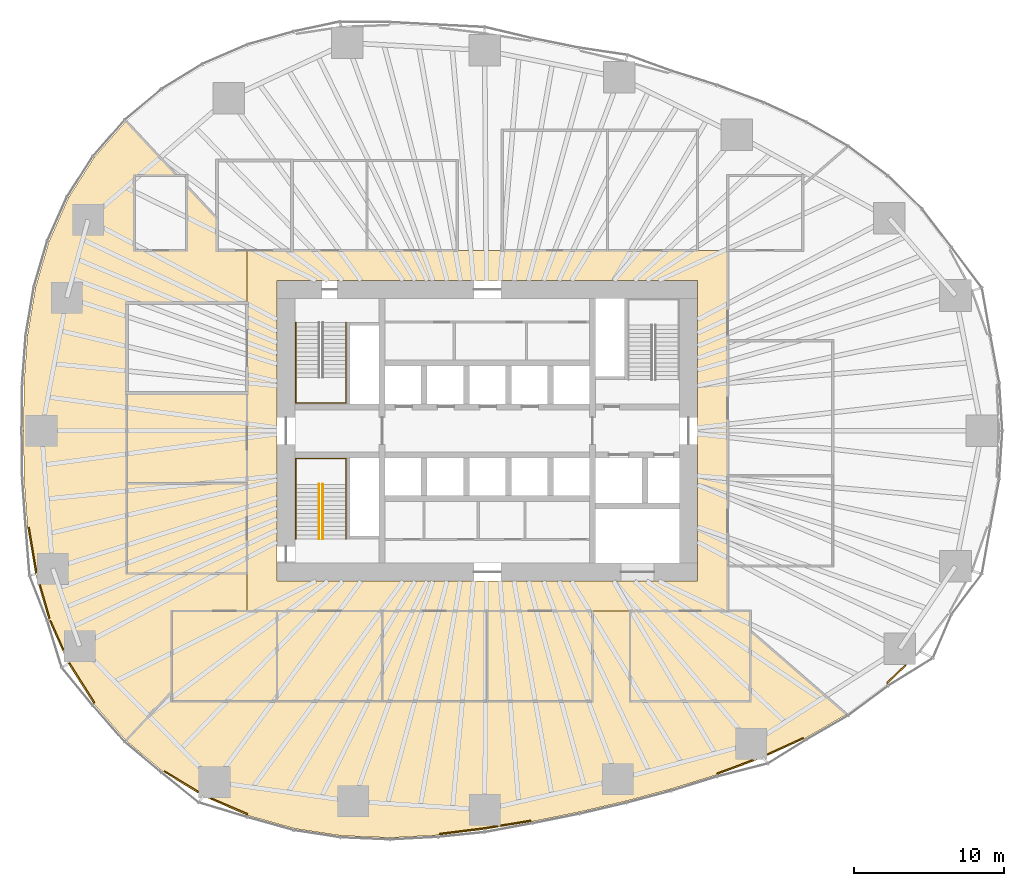
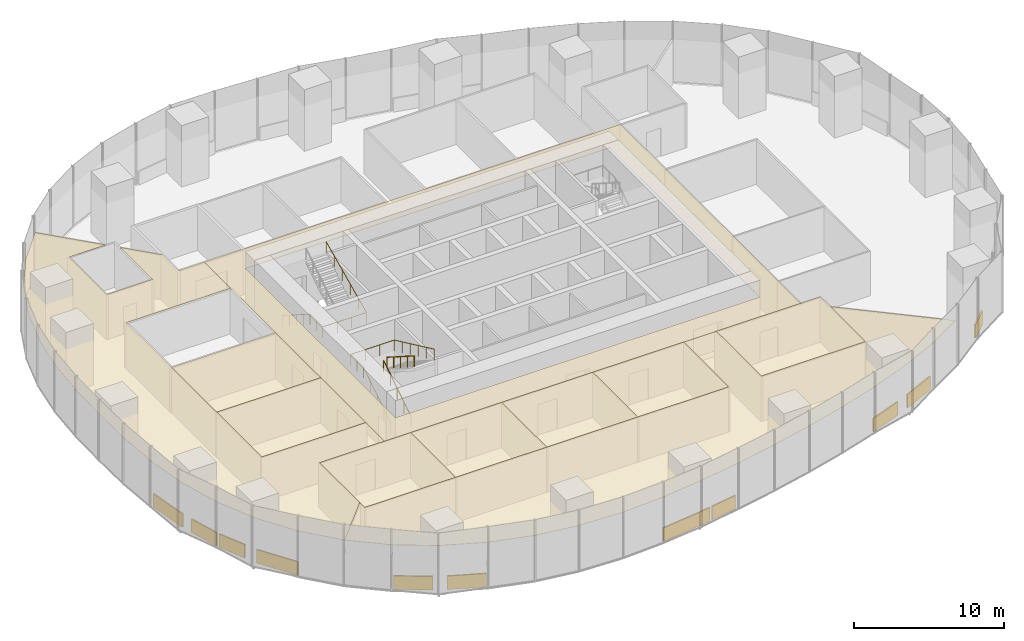
# One storey, part 17 of 20: 22 coverings, 4 railings.
"""IFC4 building model written with IfcOpenShell, lengths in metres."""

from ifc_helpers import new_model, si_unit, direction, frame, origin, origin_2d, place, context, subcontext, project, spatial, polyline, rectangle, circle, outline, extrude, material, layer, layer_set, type_object, element, save


model = new_model("IFC4")

# Units and contexts
model_context = context("Model", 3, precision=1e-05, world=origin(), true_north=direction((0.0, 1.0)))
body_context = subcontext(model_context, "Body", "Model", "MODEL_VIEW")
ifc_project = project(units=[si_unit("LENGTHUNIT", "METRE"), si_unit("AREAUNIT", "SQUARE_METRE"), si_unit("VOLUMEUNIT", "CUBIC_METRE"), si_unit("PLANEANGLEUNIT", "RADIAN"), si_unit("MASSUNIT", "GRAM", prefix="KILO")], contexts=[model_context])

# Site, building, storey
site_placement = place(None, origin())
site = spatial("IfcSite", under=ifc_project, at=site_placement, CompositionType="ELEMENT")
building_placement = place(site_placement, origin())
building = spatial("IfcBuilding", under=site, at=building_placement, Name="Ghaith Harvest Tower", CompositionType="ELEMENT")
storey_placement = place(building_placement, frame((0.0, 0.0, 45.0)))
storey = spatial("IfcBuildingStorey", under=building, at=storey_placement, Name="L09", CompositionType="ELEMENT", Elevation=45.0)

# Coverings
ifc_material_1 = material(Name="Mineral fibre ceiling tile", Category="gypsum")
ifc_layer_1 = layer(ifc_material_1, 0.02490234375)
ifc_layer_set_1 = layer_set([ifc_layer_1], Name="CEILING C2")
covering_type_1 = type_object("IfcCoveringType", Name="CEILING C2", PredefinedType="CEILING", material=ifc_layer_set_1)
covering_1_placement = place(storey_placement, frame((0.0, 0.0, 3.60009765625)))
element("IfcCovering", 1, at=covering_1_placement, inside=storey, type_object=covering_type_1, Name="Ceiling L09-01", PredefinedType="CEILING", context=body_context, shape_type="SweptSolid", body=[
    extrude(outline(polyline([(-21.0, -18.0), (-14.0, -18.0), (-14.0, -12.0), (-21.0, -12.0), (-21.0, -18.0)])), origin(), (0.0, 0.0, 1.0), 0.02490234375),
])
covering_2_placement = place(storey_placement, frame((0.0, 0.0, 3.60009765625)))
element("IfcCovering", 2, at=covering_2_placement, inside=storey, type_object=covering_type_1, Name="Ceiling L09-02", PredefinedType="CEILING", context=body_context, shape_type="SweptSolid", body=[
    extrude(outline(polyline([(-14.0, -18.0), (-7.0, -18.0), (-7.0, -12.0), (-14.0, -12.0), (-14.0, -18.0)])), origin(), (0.0, 0.0, 1.0), 0.02490234375),
])
covering_3_placement = place(storey_placement, frame((0.0, 0.0, 3.60009765625)))
element("IfcCovering", 3, at=covering_3_placement, inside=storey, type_object=covering_type_1, Name="Ceiling L09-03", PredefinedType="CEILING", context=body_context, shape_type="SweptSolid", body=[
    extrude(outline(polyline([(-7.0, -18.0), (0.0, -18.0), (0.0, -12.0), (-7.0, -12.0), (-7.0, -18.0)])), origin(), (0.0, 0.0, 1.0), 0.02490234375),
])
covering_4_placement = place(storey_placement, frame((0.0, 0.0, 3.60009765625)))
element("IfcCovering", 4, at=covering_4_placement, inside=storey, type_object=covering_type_1, Name="Ceiling L09-04", PredefinedType="CEILING", context=body_context, shape_type="SweptSolid", body=[
    extrude(outline(polyline([(0.0, -18.0), (7.0, -18.0), (7.0, -12.0), (0.0, -12.0), (0.0, -18.0)])), origin(), (0.0, 0.0, 1.0), 0.02490234375),
])
covering_5_placement = place(storey_placement, frame((0.0, 0.0, 3.60009765625)))
element("IfcCovering", 5, at=covering_5_placement, inside=storey, type_object=covering_type_1, Name="Ceiling L09-05", PredefinedType="CEILING", context=body_context, shape_type="SweptSolid", body=[
    extrude(outline(polyline([(9.5, -18.0), (17.5, -18.0), (17.5, -12.0), (9.5, -12.0), (9.5, -18.0)])), origin(), (0.0, 0.0, 1.0), 0.02490234375),
])
covering_6_placement = place(storey_placement, frame((0.0, 0.0, 3.60009765625)))
element("IfcCovering", 6, at=covering_6_placement, inside=storey, type_object=covering_type_1, Name="Ceiling L09-06", PredefinedType="CEILING", context=body_context, shape_type="SweptSolid", body=[
    extrude(outline(polyline([(-24.0, -9.5), (-16.0, -9.5), (-16.0, -3.5), (-24.0, -3.5), (-24.0, -9.5)])), origin(), (0.0, 0.0, 1.0), 0.02490234375),
])
covering_7_placement = place(storey_placement, frame((0.0, 0.0, 3.60009765625)))
element("IfcCovering", 7, at=covering_7_placement, inside=storey, type_object=covering_type_1, Name="Ceiling L09-07", PredefinedType="CEILING", context=body_context, shape_type="SweptSolid", body=[
    extrude(outline(polyline([(-24.0, -3.5), (-16.0, -3.5), (-16.0, 2.5), (-24.0, 2.5), (-24.0, -3.5)])), origin(), (0.0, 0.0, 1.0), 0.02490234375),
])
covering_8_placement = place(storey_placement, frame((0.0, 0.0, 3.60009765625)))
element("IfcCovering", 8, at=covering_8_placement, inside=storey, type_object=covering_type_1, Name="Ceiling L09-C1", PredefinedType="CEILING", context=body_context, shape_type="SweptSolid", body=[
    extrude(outline(polyline([(16.0, -12.0), (-16.0, -12.0), (-16.0, 12.0), (16.0, 12.0), (16.0, -12.0)]), holes=[polyline([(-14.0, 10.0), (-14.0, -10.0), (14.0, -10.0), (14.0, 10.0), (-14.0, 10.0)])]), origin(), (0.0, 0.0, 1.0), 0.02490234375),
])
covering_9_placement = place(storey_placement, frame((0.0, 0.0, 3.60009765625)))
element("IfcCovering", 9, at=covering_9_placement, inside=storey, type_object=covering_type_1, Name="Ceiling L09-S1", PredefinedType="CEILING", context=body_context, shape_type="SweptSolid", body=[
    extrude(outline(polyline([(-15.907958984375, -25.614501953125), (-18.8935546875, -24.32763671875), (-21.59912109375, -22.671142578125), (-24.04833984375, -20.618408203125), (-21.0, -17.354248046875), (-21.0, -18.0), (7.0, -18.0), (7.0, -12.0), (9.5, -12.0), (9.5, -18.0), (17.5, -18.0), (17.5, -13.301025390625), (23.92431640625, -18.873046875), (21.149169921875, -20.469482421875), (18.34521484375, -21.7548828125), (15.22119140625, -22.916259765625), (12.1796875, -23.857666015625), (9.21533203125, -24.65087890625), (6.10888671875, -25.378662109375), (2.99560546875, -26.004150390625), (-0.181396484375, -26.527099609375), (-3.24755859375, -26.91064453125), (-6.4375, -27.0849609375), (-9.733642578125, -26.949951171875), (-12.828125, -26.476806640625), (-15.907958984375, -25.614501953125)])), origin(), (0.0, 0.0, 1.0), 0.02490234375),
])
covering_10_placement = place(storey_placement, frame((0.0, 0.0, 3.60009765625)))
element("IfcCovering", 10, at=covering_10_placement, inside=storey, type_object=covering_type_1, Name="Ceiling L09-W1", PredefinedType="CEILING", context=body_context, shape_type="SweptSolid", body=[
    extrude(outline(polyline([(-26.16455078125, -18.20556640625), (-27.881591796875, -15.507080078125), (-29.182373046875, -12.587890625), (-30.073974609375, -9.531005859375), (-30.606689453125, -6.35107421875), (-30.837158203125, -3.165771484375), (-30.875, 0.0), (-30.837158203125, 3.165771484375), (-30.606689453125, 6.35107421875), (-30.073974609375, 9.531005859375), (-29.182373046875, 12.587890625), (-27.881591796875, 15.507080078125), (-26.16455078125, 18.20556640625), (-24.04833984375, 20.618408203125), (-20.669189453125, 17.0), (-23.5, 17.0), (-23.5, 12.0), (-20.0, 12.0), (-20.0, 16.283203125), (-18.0, 14.1416015625), (-18.0, 12.0), (-16.0, 12.0), (-16.0, 8.5), (-24.0, 8.5), (-24.0, -9.5), (-16.0, -9.5), (-16.0, -12.0), (-21.0, -12.0), (-21.0, -17.354248046875), (-24.04833984375, -20.618408203125), (-26.16455078125, -18.20556640625)])), origin(), (0.0, 0.0, 1.0), 0.02490234375),
])

# Railings
ifc_material_2 = material(Name="Steel, black powder-coated", Category="steel")
railing_type = type_object("IfcRailingType", Name="HANDRAIL HR1", PredefinedType="HANDRAIL", material=ifc_material_2)
railing_1_placement = place(storey_placement, frame((-12.75, 7.199951171875, 0.178466796875)))
element("IfcRailing", 11, at=railing_1_placement, inside=storey, type_object=railing_type, Name="Handrail HR1 stair ST1 L09 wall side", PredefinedType="HANDRAIL", context=body_context, shape_type="SweptSolid", body=[
    extrude(circle(Radius=0.02392578125, at=origin_2d()), frame((0.0, 0.0, 0.8759765625), z_axis=(0.0, -0.843111507901, 0.53773877045), x_axis=(1.0, 0.0, 0.0)), (0.0, 0.0, 1.0), 4.317138671875),
    extrude(circle(Radius=0.02392578125, at=origin_2d()), frame((0.0, -3.639892578125, 3.197265625), z_axis=(0.0, -1.0, 0.0), x_axis=(1.0, 0.0, 0.0)), (0.0, 0.0, 1.0), 1.7099609375),
    extrude(circle(Radius=0.02392578125, at=origin_2d()), frame((0.0, -5.349853515625, 3.197265625), z_axis=(1.0, 0.0, 0.0), x_axis=(0.0, 1.0, 0.0)), (0.0, 0.0, 1.0), 3.35009765625),
    extrude(circle(Radius=0.02392578125, at=origin_2d()), frame((3.35009765625, -5.349853515625, 3.197265625), z_axis=(0.0, 0.905962265858, 0.423358444868), x_axis=(-1.0, 0.0, 0.0)), (0.0, 0.0, 1.0), 5.9052734375),
    extrude(circle(Radius=0.02099609375, at=origin_2d()), origin(), (0.0, 0.0, 1.0), 0.851806640625),
    extrude(circle(Radius=0.02099609375, at=origin_2d()), frame((0.0, -0.909912109375, 0.580322265625)), (0.0, 0.0, 1.0), 0.851806640625),
    extrude(circle(Radius=0.02099609375, at=origin_2d()), frame((0.0, -1.81982421875, 1.16064453125)), (0.0, 0.0, 1.0), 0.851806640625),
    extrude(circle(Radius=0.02099609375, at=origin_2d()), frame((0.0, -2.72998046875, 1.7412109375)), (0.0, 0.0, 1.0), 0.851806640625),
    extrude(circle(Radius=0.02099609375, at=origin_2d()), frame((0.0, -3.639892578125, 2.321533203125)), (0.0, 0.0, 1.0), 0.851806640625),
    extrude(circle(Radius=0.02099609375, at=origin_2d()), frame((0.0, -4.494873046875, 2.321533203125)), (0.0, 0.0, 1.0), 0.851806640625),
    extrude(circle(Radius=0.02099609375, at=origin_2d()), frame((0.0, -5.349853515625, 2.321533203125)), (0.0, 0.0, 1.0), 0.851806640625),
    extrude(circle(Radius=0.02099609375, at=origin_2d()), frame((1.11669921875, -5.349853515625, 2.321533203125)), (0.0, 0.0, 1.0), 0.851806640625),
    extrude(circle(Radius=0.02099609375, at=origin_2d()), frame((2.2333984375, -5.349853515625, 2.321533203125)), (0.0, 0.0, 1.0), 0.851806640625),
    extrude(circle(Radius=0.02099609375, at=origin_2d()), frame((3.35009765625, -5.349853515625, 2.321533203125)), (0.0, 0.0, 1.0), 0.851806640625),
    extrude(circle(Radius=0.02099609375, at=origin_2d()), frame((3.35009765625, -4.27978515625, 2.821533203125)), (0.0, 0.0, 1.0), 0.851806640625),
    extrude(circle(Radius=0.02099609375, at=origin_2d()), frame((3.35009765625, -3.2099609375, 3.321533203125)), (0.0, 0.0, 1.0), 0.851806640625),
    extrude(circle(Radius=0.02099609375, at=origin_2d()), frame((3.35009765625, -2.139892578125, 3.821533203125)), (0.0, 0.0, 1.0), 0.851806640625),
    extrude(circle(Radius=0.02099609375, at=origin_2d()), frame((3.35009765625, -1.070068359375, 4.321533203125)), (0.0, 0.0, 1.0), 0.851806640625),
    extrude(circle(Radius=0.02099609375, at=origin_2d()), frame((3.35009765625, 0.0, 4.821533203125)), (0.0, 0.0, 1.0), 0.851806640625),
])
railing_2_placement = place(storey_placement, frame((-11.199951171875, -7.199951171875, 0.178466796875)))
element("IfcRailing", 12, at=railing_2_placement, inside=storey, type_object=railing_type, Name="Handrail HR1 stair ST3 L09 flight 1 inner", PredefinedType="HANDRAIL", context=body_context, shape_type="SweptSolid", body=[
    extrude(circle(Radius=0.02392578125, at=origin_2d()), frame((0.0, 0.0, 0.8759765625), z_axis=(0.0, 0.843111507901, 0.53773877045), x_axis=(-1.0, 0.0, 0.0)), (0.0, 0.0, 1.0), 4.317138671875),
    extrude(circle(Radius=0.02099609375, at=origin_2d()), origin(), (0.0, 0.0, 1.0), 0.851806640625),
    extrude(circle(Radius=0.02099609375, at=origin_2d()), frame((0.0, 0.909912109375, 0.580322265625)), (0.0, 0.0, 1.0), 0.851806640625),
    extrude(circle(Radius=0.02099609375, at=origin_2d()), frame((0.0, 1.81982421875, 1.16064453125)), (0.0, 0.0, 1.0), 0.851806640625),
    extrude(circle(Radius=0.02099609375, at=origin_2d()), frame((0.0, 2.72998046875, 1.7412109375)), (0.0, 0.0, 1.0), 0.851806640625),
    extrude(circle(Radius=0.02099609375, at=origin_2d()), frame((0.0, 3.639892578125, 2.321533203125)), (0.0, 0.0, 1.0), 0.851806640625),
])
railing_3_placement = place(storey_placement, frame((-10.949951171875, -3.56005859375, 2.678466796875)))
element("IfcRailing", 13, at=railing_3_placement, inside=storey, type_object=railing_type, Name="Handrail HR1 stair ST3 L09 flight 2 inner", PredefinedType="HANDRAIL", context=body_context, shape_type="SweptSolid", body=[
    extrude(circle(Radius=0.02392578125, at=origin_2d()), frame((0.0, 0.0, 0.8759765625), z_axis=(0.0, -0.843111507901, 0.53773877045), x_axis=(1.0, 0.0, 0.0)), (0.0, 0.0, 1.0), 4.317138671875),
    extrude(circle(Radius=0.02099609375, at=origin_2d()), origin(), (0.0, 0.0, 1.0), 0.851806640625),
    extrude(circle(Radius=0.02099609375, at=origin_2d()), frame((0.0, -0.909912109375, 0.580322265625)), (0.0, 0.0, 1.0), 0.851806640625),
    extrude(circle(Radius=0.02099609375, at=origin_2d()), frame((0.0, -1.81982421875, 1.16064453125)), (0.0, 0.0, 1.0), 0.851806640625),
    extrude(circle(Radius=0.02099609375, at=origin_2d()), frame((0.0, -2.72998046875, 1.7412109375)), (0.0, 0.0, 1.0), 0.851806640625),
    extrude(circle(Radius=0.02099609375, at=origin_2d()), frame((0.0, -3.639892578125, 2.321533203125)), (0.0, 0.0, 1.0), 0.851806640625),
])
railing_4_placement = place(storey_placement, frame((-12.75, -7.199951171875, 0.178466796875)))
element("IfcRailing", 14, at=railing_4_placement, inside=storey, type_object=railing_type, Name="Handrail HR1 stair ST3 L09 wall side", PredefinedType="HANDRAIL", context=body_context, shape_type="SweptSolid", body=[
    extrude(circle(Radius=0.02392578125, at=origin_2d()), frame((0.0, 0.0, 0.8759765625), z_axis=(0.0, 0.843111507901, 0.53773877045), x_axis=(-1.0, 0.0, 0.0)), (0.0, 0.0, 1.0), 4.317138671875),
    extrude(circle(Radius=0.02392578125, at=origin_2d()), frame((0.0, 3.639892578125, 3.197265625), z_axis=(0.0, 1.0, 0.0), x_axis=(-1.0, 0.0, 0.0)), (0.0, 0.0, 1.0), 1.7099609375),
    extrude(circle(Radius=0.02392578125, at=origin_2d()), frame((0.0, 5.349853515625, 3.197265625), z_axis=(1.0, 0.0, 0.0), x_axis=(0.0, 1.0, 0.0)), (0.0, 0.0, 1.0), 3.35009765625),
    extrude(circle(Radius=0.02392578125, at=origin_2d()), frame((3.35009765625, 5.349853515625, 3.197265625), z_axis=(0.0, -0.905962265858, 0.423358444868), x_axis=(1.0, 0.0, 0.0)), (0.0, 0.0, 1.0), 5.9052734375),
    extrude(circle(Radius=0.02099609375, at=origin_2d()), origin(), (0.0, 0.0, 1.0), 0.851806640625),
    extrude(circle(Radius=0.02099609375, at=origin_2d()), frame((0.0, 0.909912109375, 0.580322265625)), (0.0, 0.0, 1.0), 0.851806640625),
    extrude(circle(Radius=0.02099609375, at=origin_2d()), frame((0.0, 1.81982421875, 1.16064453125)), (0.0, 0.0, 1.0), 0.851806640625),
    extrude(circle(Radius=0.02099609375, at=origin_2d()), frame((0.0, 2.72998046875, 1.7412109375)), (0.0, 0.0, 1.0), 0.851806640625),
    extrude(circle(Radius=0.02099609375, at=origin_2d()), frame((0.0, 3.639892578125, 2.321533203125)), (0.0, 0.0, 1.0), 0.851806640625),
    extrude(circle(Radius=0.02099609375, at=origin_2d()), frame((0.0, 4.494873046875, 2.321533203125)), (0.0, 0.0, 1.0), 0.851806640625),
    extrude(circle(Radius=0.02099609375, at=origin_2d()), frame((0.0, 5.349853515625, 2.321533203125)), (0.0, 0.0, 1.0), 0.851806640625),
    extrude(circle(Radius=0.02099609375, at=origin_2d()), frame((1.11669921875, 5.349853515625, 2.321533203125)), (0.0, 0.0, 1.0), 0.851806640625),
    extrude(circle(Radius=0.02099609375, at=origin_2d()), frame((2.2333984375, 5.349853515625, 2.321533203125)), (0.0, 0.0, 1.0), 0.851806640625),
    extrude(circle(Radius=0.02099609375, at=origin_2d()), frame((3.35009765625, 5.349853515625, 2.321533203125)), (0.0, 0.0, 1.0), 0.851806640625),
    extrude(circle(Radius=0.02099609375, at=origin_2d()), frame((3.35009765625, 4.27978515625, 2.821533203125)), (0.0, 0.0, 1.0), 0.851806640625),
    extrude(circle(Radius=0.02099609375, at=origin_2d()), frame((3.35009765625, 3.2099609375, 3.321533203125)), (0.0, 0.0, 1.0), 0.851806640625),
    extrude(circle(Radius=0.02099609375, at=origin_2d()), frame((3.35009765625, 2.139892578125, 3.821533203125)), (0.0, 0.0, 1.0), 0.851806640625),
    extrude(circle(Radius=0.02099609375, at=origin_2d()), frame((3.35009765625, 1.070068359375, 4.321533203125)), (0.0, 0.0, 1.0), 0.851806640625),
    extrude(circle(Radius=0.02099609375, at=origin_2d()), frame((3.35009765625, 0.0, 4.821533203125)), (0.0, 0.0, 1.0), 0.851806640625),
])

# Coverings
ifc_material_3 = material(Name="Insulated aluminium spandrel panel on steel framing", Category="steel")
ifc_layer_2 = layer(ifc_material_3, 0.10009765625)
ifc_layer_set_2 = layer_set([ifc_layer_2], Name="SLAB EDGE UPSTAND 1100x100")
covering_type_2 = type_object("IfcCoveringType", Name="SLAB EDGE UPSTAND 1100x100", PredefinedType="CLADDING", material=ifc_layer_set_2)
covering_11_placement = place(storey_placement, frame((-30.2900390625, -7.9384765625, 0.0), z_axis=(0.0, 0.0, 1.0), x_axis=(0.165246181786, -0.986252350773, 0.0)))
element("IfcCovering", 15, at=covering_11_placement, inside=storey, type_object=covering_type_2, Name="Slab edge upstand 3 bay 11 L09", PredefinedType="CLADDING", context=body_context, shape_type="SweptSolid", body=[
    extrude(rectangle(XDim=3.03564453125, YDim=0.10009765625, at=origin_2d()), origin(), (0.0, 0.0, 1.0), 1.10009765625),
])
covering_12_placement = place(storey_placement, frame((-29.48828125, -11.35986328125, 0.0), z_axis=(0.0, 0.0, 1.0), x_axis=(0.280032411303, -0.95999054611, 0.0)))
element("IfcCovering", 16, at=covering_12_placement, inside=storey, type_object=covering_type_2, Name="Slab edge upstand 1 bay 12 L09", PredefinedType="CLADDING", context=body_context, shape_type="SweptSolid", body=[
    extrude(rectangle(XDim=2.3291015625, YDim=0.10009765625, at=origin_2d()), origin(), (0.0, 0.0, 1.0), 1.10009765625),
])
covering_13_placement = place(storey_placement, frame((-28.666748046875, -13.621826171875, 0.0), z_axis=(0.0, 0.0, 1.0), x_axis=(0.407003427802, -0.913426630747, 0.0)))
element("IfcCovering", 17, at=covering_13_placement, inside=storey, type_object=covering_type_2, Name="Slab edge upstand 2 bay 12 L09", PredefinedType="CLADDING", context=body_context, shape_type="SweptSolid", body=[
    extrude(rectangle(XDim=2.108642578125, YDim=0.10009765625, at=origin_2d()), origin(), (0.0, 0.0, 1.0), 1.10009765625),
])
covering_14_placement = place(storey_placement, frame((-27.0078125, -16.787353515625, 0.0), z_axis=(0.0, 0.0, 1.0), x_axis=(0.536807372204, -0.843704832952, 0.0)))
element("IfcCovering", 18, at=covering_14_placement, inside=storey, type_object=covering_type_2, Name="Slab edge upstand 3 bay 12 L09", PredefinedType="CLADDING", context=body_context, shape_type="SweptSolid", body=[
    extrude(rectangle(XDim=3.098388671875, YDim=0.10009765625, at=origin_2d()), origin(), (0.0, 0.0, 1.0), 1.10009765625),
])
covering_15_placement = place(storey_placement, frame((-20.36572265625, -23.367431640625, 0.0), z_axis=(0.0, 0.0, 1.0), x_axis=(0.852846651269, -0.522161459148, 0.0)))
element("IfcCovering", 19, at=covering_15_placement, inside=storey, type_object=covering_type_2, Name="Slab edge upstand 3 bay 13 L09", PredefinedType="CLADDING", context=body_context, shape_type="SweptSolid", body=[
    extrude(rectangle(XDim=2.630615234375, YDim=0.10009765625, at=origin_2d()), origin(), (0.0, 0.0, 1.0), 1.10009765625),
])
covering_16_placement = place(storey_placement, frame((-17.18994140625, -25.007568359375, 0.0), z_axis=(0.0, 0.0, 1.0), x_axis=(0.918306928324, -0.395869151856, 0.0)))
element("IfcCovering", 20, at=covering_16_placement, inside=storey, type_object=covering_type_2, Name="Slab edge upstand 1 bay 14 L09", PredefinedType="CLADDING", context=body_context, shape_type="SweptSolid", body=[
    extrude(rectangle(XDim=2.63525390625, YDim=0.10009765625, at=origin_2d()), origin(), (0.0, 0.0, 1.0), 1.10009765625),
])
covering_17_placement = place(storey_placement, frame((-1.671142578125, -26.6630859375, 0.0), z_axis=(0.0, 0.0, 1.0), x_axis=(0.992264868881, 0.124138752952, 0.0)))
element("IfcCovering", 21, at=covering_17_placement, inside=storey, type_object=covering_type_2, Name="Slab edge upstand 3 bay 15 L09", PredefinedType="CLADDING", context=body_context, shape_type="SweptSolid", body=[
    extrude(rectangle(XDim=2.98974609375, YDim=0.10009765625, at=origin_2d()), origin(), (0.0, 0.0, 1.0), 1.10009765625),
])
covering_18_placement = place(storey_placement, frame((0.2490234375, -26.405517578125, 0.0), z_axis=(0.0, 0.0, 1.0), x_axis=(0.98671624755, 0.162453214254, 0.0)))
element("IfcCovering", 22, at=covering_18_placement, inside=storey, type_object=covering_type_2, Name="Slab edge upstand 1 bay 16 L09", PredefinedType="CLADDING", context=body_context, shape_type="SweptSolid", body=[
    extrude(rectangle(XDim=0.88916015625, YDim=0.10009765625, at=origin_2d()), origin(), (0.0, 0.0, 1.0), 1.10009765625),
])
covering_19_placement = place(storey_placement, frame((1.891845703125, -26.135009765625, 0.0), z_axis=(0.0, 0.0, 1.0), x_axis=(0.98671624755, 0.162453214254, 0.0)))
element("IfcCovering", 23, at=covering_19_placement, inside=storey, type_object=covering_type_2, Name="Slab edge upstand 1 bay 16 L09", PredefinedType="CLADDING", context=body_context, shape_type="SweptSolid", body=[
    extrude(rectangle(XDim=2.0205078125, YDim=0.10009765625, at=origin_2d()), origin(), (0.0, 0.0, 1.0), 1.10009765625),
])
covering_20_placement = place(storey_placement, frame((16.495361328125, -22.38916015625, 0.0), z_axis=(0.0, 0.0, 1.0), x_axis=(0.937331853701, 0.348437937139, 0.0)))
element("IfcCovering", 24, at=covering_20_placement, inside=storey, type_object=covering_type_2, Name="Slab edge upstand 3 bay 17 L09", PredefinedType="CLADDING", context=body_context, shape_type="SweptSolid", body=[
    extrude(rectangle(XDim=2.555908203125, YDim=0.10009765625, at=origin_2d()), origin(), (0.0, 0.0, 1.0), 1.10009765625),
])
covering_21_placement = place(storey_placement, frame((19.84521484375, -21.01220703125, 0.0), z_axis=(0.0, 0.0, 1.0), x_axis=(0.909046054499, 0.416695657284, 0.0)))
element("IfcCovering", 25, at=covering_21_placement, inside=storey, type_object=covering_type_2, Name="Slab edge upstand 1 bay 18 L09", PredefinedType="CLADDING", context=body_context, shape_type="SweptSolid", body=[
    extrude(rectangle(XDim=2.623291015625, YDim=0.10009765625, at=origin_2d()), origin(), (0.0, 0.0, 1.0), 1.10009765625),
])
covering_22_placement = place(storey_placement, frame((27.227783203125, -16.205078125, 0.0), z_axis=(0.0, 0.0, 1.0), x_axis=(0.717386427289, 0.69667547247, 0.0)))
element("IfcCovering", 26, at=covering_22_placement, inside=storey, type_object=covering_type_2, Name="Slab edge upstand 1 bay 19 L09", PredefinedType="CLADDING", context=body_context, shape_type="SweptSolid", body=[
    extrude(rectangle(XDim=1.723388671875, YDim=0.10009765625, at=origin_2d()), origin(), (0.0, 0.0, 1.0), 1.10009765625),
])

save(model, "model.ifc")
